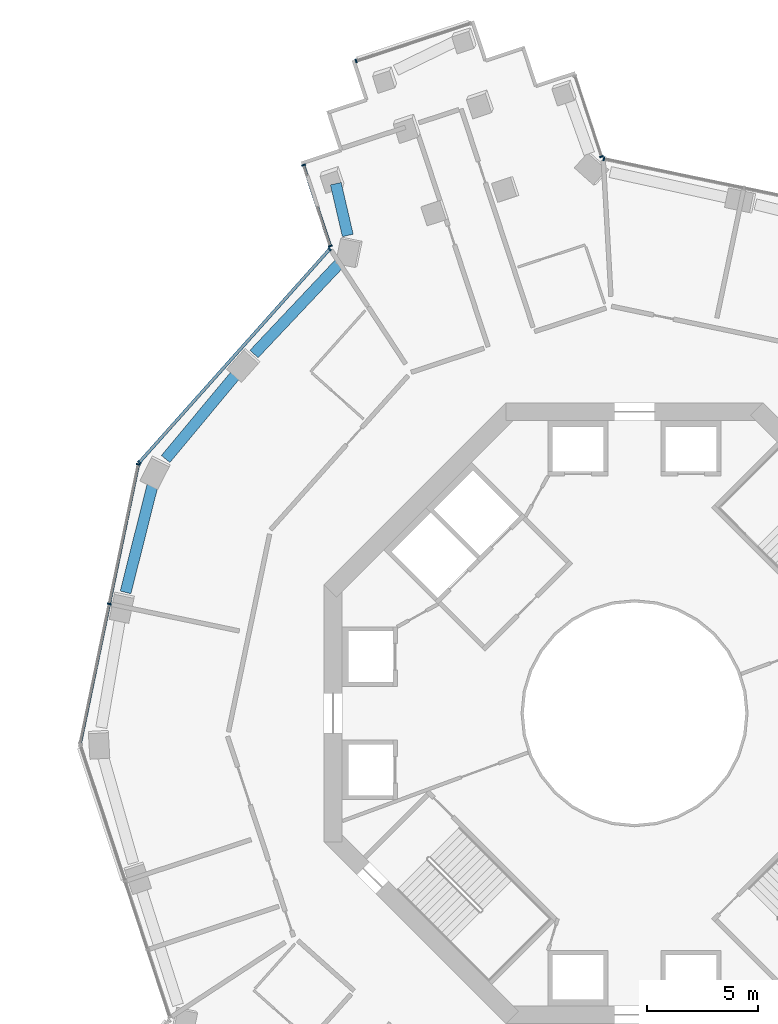
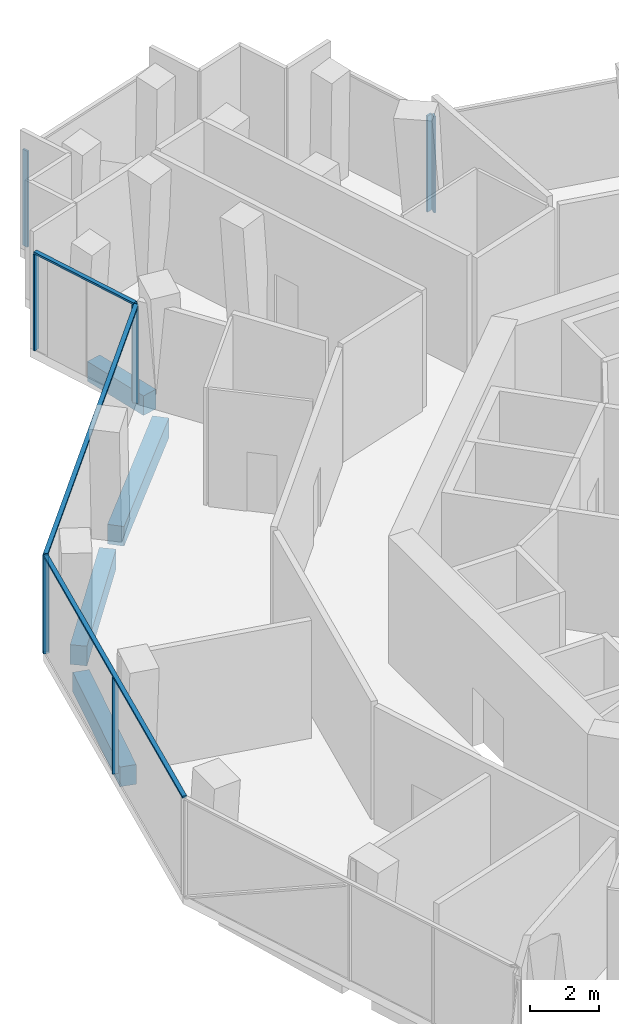
# One storey, part 7 of 21: 12 members, 4 beams, 6 elements without a shape of their own.
"""IFC4 building model written with IfcOpenShell, lengths in metres."""

from ifc_helpers import new_model, si_unit, direction, frame, origin, origin_2d, place, context, subcontext, project, spatial, rectangle, extrude, material, layer, layer_set, material_profile, profile_set, type_object, element, aggregate, save


model = new_model("IFC4")

# Units and contexts
model_context = context("Model", 3, precision=1e-05, world=origin(), true_north=direction((0.0, 1.0)))
body_context = subcontext(model_context, "Body", "Model", "MODEL_VIEW")
ifc_project = project(units=[si_unit("LENGTHUNIT", "METRE"), si_unit("AREAUNIT", "SQUARE_METRE"), si_unit("VOLUMEUNIT", "CUBIC_METRE"), si_unit("PLANEANGLEUNIT", "RADIAN"), si_unit("MASSUNIT", "GRAM", prefix="KILO")], contexts=[model_context])

# Site, building, storey
site_placement = place(None, origin())
site = spatial("IfcSite", under=ifc_project, at=site_placement, CompositionType="ELEMENT")
building_placement = place(site_placement, origin())
building = spatial("IfcBuilding", under=site, at=building_placement, Name="Verdalira Terraces Hotel", CompositionType="ELEMENT")
storey_placement = place(building_placement, frame((0.0, 0.0, 107.0)))
storey = spatial("IfcBuildingStorey", under=building, at=storey_placement, Name="L25", CompositionType="ELEMENT", Elevation=107.0)

# Curtain wall, member
ifc_material_1 = material(Name="Clear glass", Category="glass")
ifc_layer = layer(ifc_material_1, 0.179931640625)
ifc_layer_set = layer_set([ifc_layer], Name="CW4 curtain wall")
curtain_wall_type = type_object("IfcCurtainWallType", Name="CW4 curtain wall", PredefinedType="NOTDEFINED", material=ifc_layer_set)
curtain_wall_1_placement = place(storey_placement, origin())
curtain_wall_1 = element("IfcCurtainWall", 1, at=curtain_wall_1_placement, inside=storey, type_object=curtain_wall_type, Name="CW4 curtain wall L25 edge 0", PredefinedType="NOTDEFINED")
ifc_material_2 = material(Name="Terracotta frame", Category="masonry")
ifc_material_profile_1 = material_profile(ifc_material_2, rectangle(XDim=0.064941, YDim=0.179932, at=origin_2d()), Name="MU 65x180")
ifc_profile_set_1 = profile_set([ifc_material_profile_1], Name="Terracotta frame")
member_type_1 = type_object("IfcMemberType", Name="CW4 mullion 65x180", PredefinedType="MULLION", material=ifc_profile_set_1)
member_1_placement = place(storey_placement, frame((-1.491943, 25.102539, 0.0), z_axis=(0.0, 0.0, 1.0), x_axis=(-0.312998048, 0.949753769, 0.0)))
member_1 = element("IfcMember", 2, at=member_1_placement, type_object=member_type_1, Name="CW4 mullion", PredefinedType="MULLION", context=body_context, shape_type="SweptSolid", body=[
    extrude(rectangle(XDim=0.064941, YDim=0.179932, at=origin_2d()), origin(), (0.0, 0.0, 1.0), 3.419922),
])
aggregate(curtain_wall_1, [member_1])

curtain_wall_2_placement = place(storey_placement, origin())
curtain_wall_2 = element("IfcCurtainWall", 3, at=curtain_wall_2_placement, inside=storey, type_object=curtain_wall_type, Name="CW4 curtain wall L25 edge 5", PredefinedType="NOTDEFINED")
member_2_placement = place(storey_placement, frame((-12.557373, 29.421387, 0.0), z_axis=(0.0, 0.0, 1.0), x_axis=(-0.949753769, -0.312998048, 0.0)))
member_2 = element("IfcMember", 4, at=member_2_placement, type_object=member_type_1, Name="CW4 mullion", PredefinedType="MULLION", context=body_context, shape_type="SweptSolid", body=[
    extrude(rectangle(XDim=0.064941, YDim=0.179932, at=origin_2d()), origin(), (0.0, 0.0, 1.0), 3.419922),
])
aggregate(curtain_wall_2, [member_2])

# Curtain wall, members
curtain_wall_3_placement = place(storey_placement, origin())
curtain_wall_3 = element("IfcCurtainWall", 5, at=curtain_wall_3_placement, inside=storey, type_object=curtain_wall_type, Name="CW4 curtain wall L25 edge 10", PredefinedType="NOTDEFINED")
member_3_placement = place(storey_placement, frame((-14.927734, 24.720703, 0.0), z_axis=(0.0, 0.0, 1.0), x_axis=(0.312998048, -0.949753769, 0.0)))
member_3 = element("IfcMember", 6, at=member_3_placement, type_object=member_type_1, Name="CW4 mullion", PredefinedType="MULLION", context=body_context, shape_type="SweptSolid", body=[
    extrude(rectangle(XDim=0.064941, YDim=0.179932, at=origin_2d()), origin(), (0.0, 0.0, 1.0), 3.419922),
])
member_4_placement = place(storey_placement, frame((-13.724854, 21.071045, 0.0), z_axis=(0.0, 0.0, 1.0), x_axis=(0.312998048, -0.949753769, 0.0)))
member_4 = element("IfcMember", 7, at=member_4_placement, type_object=member_type_1, Name="CW4 mullion", PredefinedType="MULLION", context=body_context, shape_type="SweptSolid", body=[
    extrude(rectangle(XDim=0.064941, YDim=0.179932, at=origin_2d()), origin(), (0.0, 0.0, 1.0), 3.419922),
])

curtain_wall_4_placement = place(storey_placement, origin())
curtain_wall_4 = element("IfcCurtainWall", 8, at=curtain_wall_4_placement, inside=storey, type_object=curtain_wall_type, Name="CW4 curtain wall L25 edge 11", PredefinedType="NOTDEFINED")
member_5_placement = place(storey_placement, frame((-13.754639, 20.927734, 0.0), z_axis=(0.0, 0.0, 1.0), x_axis=(-0.666011867, -0.745941145, 0.0)))
member_5 = element("IfcMember", 9, at=member_5_placement, type_object=member_type_1, Name="CW4 mullion", PredefinedType="MULLION", context=body_context, shape_type="SweptSolid", body=[
    extrude(rectangle(XDim=0.064941, YDim=0.179932, at=origin_2d()), origin(), (0.0, 0.0, 1.0), 3.419922),
])
member_6_placement = place(storey_placement, frame((-22.331299, 11.322021, 0.0), z_axis=(0.0, 0.0, 1.0), x_axis=(-0.666011867, -0.745941145, 0.0)))
member_6 = element("IfcMember", 10, at=member_6_placement, type_object=member_type_1, Name="CW4 mullion", PredefinedType="MULLION", context=body_context, shape_type="SweptSolid", body=[
    extrude(rectangle(XDim=0.064941, YDim=0.179932, at=origin_2d()), origin(), (0.0, 0.0, 1.0), 3.419922),
])

curtain_wall_5_placement = place(storey_placement, origin())
curtain_wall_5 = element("IfcCurtainWall", 11, at=curtain_wall_5_placement, inside=storey, type_object=curtain_wall_type, Name="CW4 curtain wall L25 edge 12", PredefinedType="NOTDEFINED")
member_7_placement = place(storey_placement, frame((-22.380371, 11.224365, 0.0), z_axis=(0.0, 0.0, 1.0), x_axis=(-0.203812624, -0.979009915, 0.0)))
member_7 = element("IfcMember", 12, at=member_7_placement, type_object=member_type_1, Name="CW4 mullion", PredefinedType="MULLION", context=body_context, shape_type="SweptSolid", body=[
    extrude(rectangle(XDim=0.064941, YDim=0.179932, at=origin_2d()), origin(), (0.0, 0.0, 1.0), 3.419922),
])
member_8_placement = place(storey_placement, frame((-23.69043, 4.931885, 0.0), z_axis=(0.0, 0.0, 1.0), x_axis=(-0.203812624, -0.979009915, 0.0)))
member_8 = element("IfcMember", 13, at=member_8_placement, type_object=member_type_1, Name="CW4 mullion", PredefinedType="MULLION", context=body_context, shape_type="SweptSolid", body=[
    extrude(rectangle(XDim=0.064941, YDim=0.179932, at=origin_2d()), origin(), (0.0, 0.0, 1.0), 3.419922),
])

# Curtain wall, member
curtain_wall_6_placement = place(storey_placement, origin())
curtain_wall_6 = element("IfcCurtainWall", 14, at=curtain_wall_6_placement, inside=storey, type_object=curtain_wall_type, Name="CW4 curtain wall L25 edge 41", PredefinedType="NOTDEFINED")
member_9_placement = place(storey_placement, frame((-1.382812, 25.005127, 0.0), z_axis=(0.0, 0.0, 1.0), x_axis=(-0.979009915, 0.203812624, 0.0)))
member_9 = element("IfcMember", 15, at=member_9_placement, type_object=member_type_1, Name="CW4 mullion", PredefinedType="MULLION", context=body_context, shape_type="SweptSolid", body=[
    extrude(rectangle(XDim=0.064941, YDim=0.179932, at=origin_2d()), origin(), (0.0, 0.0, 1.0), 3.419922),
])
aggregate(curtain_wall_6, [member_9])

# Member
ifc_material_3 = material(Name="Terracotta frame", Category="masonry")
ifc_material_profile_2 = material_profile(ifc_material_3, rectangle(XDim=0.139893, YDim=0.070068, at=origin_2d()), Name="TR 70x140")
ifc_profile_set_2 = profile_set([ifc_material_profile_2], Name="Terracotta frame")
member_type_2 = type_object("IfcMemberType", Name="CW4 transom 70x140", PredefinedType="USERDEFINED", material=ifc_profile_set_2)
member_10_placement = place(storey_placement, frame((-14.937744, 24.751709, 3.455078), z_axis=(0.313002205, -0.949752399, 0.0), x_axis=(0.949752399, 0.313002205, 0.0)))
member_10 = element("IfcMember", 16, at=member_10_placement, type_object=member_type_2, Name="CW4 transom", ObjectType="TRANSOM", PredefinedType="USERDEFINED", context=body_context, shape_type="SweptSolid", body=[
    extrude(rectangle(XDim=0.139893, YDim=0.070068, at=origin_2d()), origin(), (0.0, 0.0, 1.0), 3.907715),
])

aggregate(curtain_wall_3, [member_3, member_4, member_10])

member_11_placement = place(storey_placement, frame((-13.73291, 20.952148, 3.455078), z_axis=(-0.66601427, -0.745939, 0.0), x_axis=(0.745939, -0.66601427, 0.0)))
member_11 = element("IfcMember", 17, at=member_11_placement, type_object=member_type_2, Name="CW4 transom", ObjectType="TRANSOM", PredefinedType="USERDEFINED", context=body_context, shape_type="SweptSolid", body=[
    extrude(rectangle(XDim=0.139893, YDim=0.070068, at=origin_2d()), origin(), (0.0, 0.0, 1.0), 12.942383),
])

aggregate(curtain_wall_4, [member_5, member_6, member_11])

member_12_placement = place(storey_placement, frame((-22.373779, 11.256104, 3.455078), z_axis=(-0.20382144, -0.97900808, 0.0), x_axis=(0.97900808, -0.20382144, 0.0)))
member_12 = element("IfcMember", 18, at=member_12_placement, type_object=member_type_2, Name="CW4 transom", ObjectType="TRANSOM", PredefinedType="USERDEFINED", context=body_context, shape_type="SweptSolid", body=[
    extrude(rectangle(XDim=0.139893, YDim=0.070068, at=origin_2d()), origin(), (0.0, 0.0, 1.0), 12.919678),
])

aggregate(curtain_wall_5, [member_7, member_8, member_12])

# Beams
ifc_material_4 = material(Name="Concrete C70", Category="concrete")
ifc_material_profile_3 = material_profile(ifc_material_4, rectangle(XDim=0.5, YDim=0.699951, at=origin_2d()), Name="RC 500X700")
ifc_profile_set_3 = profile_set([ifc_material_profile_3], Name="Concrete C70")
beam_type = type_object("IfcBeamType", Name="Spandrel beam RC 500X700 C70", PredefinedType="SPANDREL", material=ifc_profile_set_3)
beam_1_placement = place(storey_placement, frame((-13.473389, 23.882568, -0.659912), z_axis=(0.225194231, -0.974313891, 0.0), x_axis=(0.974313891, 0.225194231, 0.0)))
element("IfcBeam", 19, at=beam_1_placement, inside=storey, type_object=beam_type, Name="Spandrel beam B03", PredefinedType="SPANDREL", context=body_context, shape_type="SweptSolid", body=[
    extrude(rectangle(XDim=0.5, YDim=0.699951, at=origin_2d()), origin(), (0.0, 0.0, 1.0), 2.396973),
])
beam_2_placement = place(storey_placement, frame((-13.27002, 20.325439, -0.659912), z_axis=(-0.686297346, -0.727321079, 0.0), x_axis=(0.727321079, -0.686297346, 0.0)))
element("IfcBeam", 20, at=beam_2_placement, inside=storey, type_object=beam_type, Name="Spandrel beam B04", PredefinedType="SPANDREL", context=body_context, shape_type="SweptSolid", body=[
    extrude(rectangle(XDim=0.5, YDim=0.699951, at=origin_2d()), origin(), (0.0, 0.0, 1.0), 5.671387),
])
beam_3_placement = place(storey_placement, frame((-17.942383, 15.319092, -0.659912), z_axis=(-0.639403128, -0.768871667, 0.0), x_axis=(0.768871667, -0.639403128, 0.0)))
element("IfcBeam", 21, at=beam_3_placement, inside=storey, type_object=beam_type, Name="Spandrel beam B05", PredefinedType="SPANDREL", context=body_context, shape_type="SweptSolid", body=[
    extrude(rectangle(XDim=0.5, YDim=0.699951, at=origin_2d()), origin(), (0.0, 0.0, 1.0), 5.012207),
])
beam_4_placement = place(storey_placement, frame((-21.729004, 10.316406, -0.659912), z_axis=(-0.244218956, -0.969720115, 0.0), x_axis=(0.969720115, -0.244218956, 0.0)))
element("IfcBeam", 22, at=beam_4_placement, inside=storey, type_object=beam_type, Name="Spandrel beam B06", PredefinedType="SPANDREL", context=body_context, shape_type="SweptSolid", body=[
    extrude(rectangle(XDim=0.5, YDim=0.699951, at=origin_2d()), origin(), (0.0, 0.0, 1.0), 5.015381),
])

save(model, "model.ifc")
